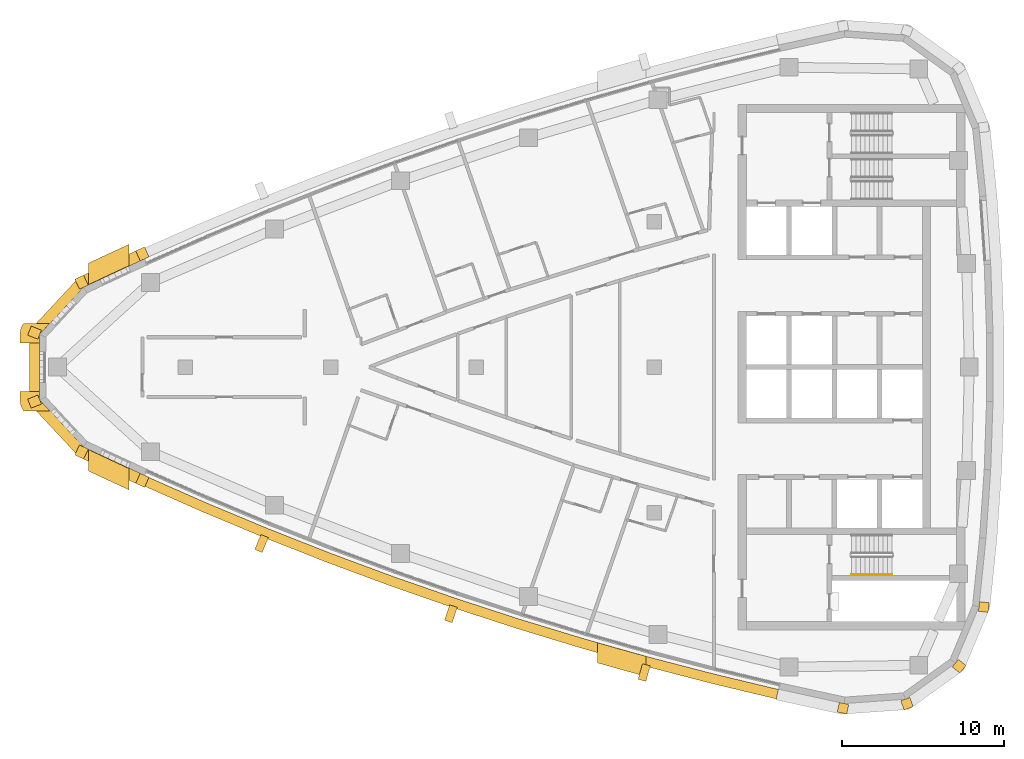
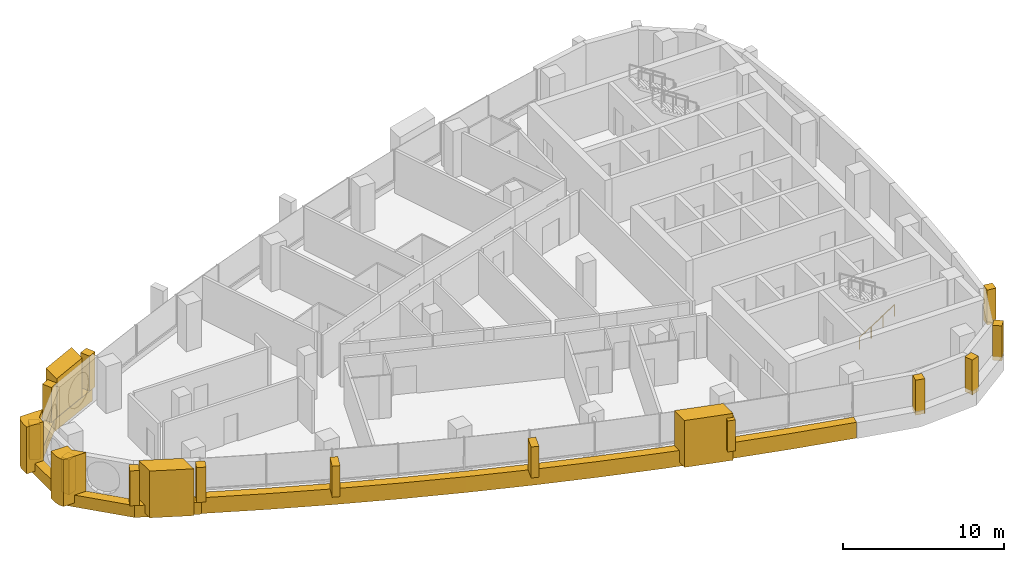
# One storey, part 11 of 14: 20 coverings, 1 railing.
"""IFC4 building model written with IfcOpenShell, lengths in metres."""

from ifc_helpers import new_model, si_unit, direction, frame, frame_2d, origin, origin_2d, place, context, subcontext, project, spatial, polyline, rectangle, circle, outline, extrude, material, layer, layer_set, type_object, element, save


model = new_model("IFC4")

# Units and contexts
model_context = context("Model", 3, precision=1e-05, world=origin(), true_north=direction((0.0, 1.0)))
body_context = subcontext(model_context, "Body", "Model", "MODEL_VIEW")
ifc_project = project(units=[si_unit("LENGTHUNIT", "METRE"), si_unit("AREAUNIT", "SQUARE_METRE"), si_unit("VOLUMEUNIT", "CUBIC_METRE"), si_unit("PLANEANGLEUNIT", "RADIAN"), si_unit("MASSUNIT", "GRAM", prefix="KILO")], contexts=[model_context])

# Site, building, storey
site_placement = place(None, origin())
site = spatial("IfcSite", under=ifc_project, at=site_placement, CompositionType="ELEMENT")
building_placement = place(site_placement, origin())
building = spatial("IfcBuilding", under=site, at=building_placement, Name="Ostrand Prow Hotel Tower", CompositionType="ELEMENT")
storey_placement = place(building_placement, frame((0.0, 0.0, 296.300048828125)))
storey = spatial("IfcBuildingStorey", under=building, at=storey_placement, Name="L75", CompositionType="ELEMENT", Elevation=296.300048828125)

# Coverings
ifc_material_1 = material(Name="Bronze anodised aluminium cladding", Category="aluminium")
ifc_layer_1 = layer(ifc_material_1, 0.60009765625)
ifc_layer_set_1 = layer_set([ifc_layer_1], Name="Bronze anodised aluminium cladding")
covering_type_1 = type_object("IfcCoveringType", Name="Bronze prow band 899x600", PredefinedType="CLADDING", material=ifc_layer_set_1)
covering_1_placement = place(storey_placement, frame((0.0, 0.0, -0.300048828125)))
element("IfcCovering", 1, at=covering_1_placement, inside=storey, type_object=covering_type_1, Name="Bronze prow band", PredefinedType="CLADDING", context=body_context, shape_type="SweptSolid", body=[
    extrude(outline(polyline([(13.195068359375, 7.316162109375), (9.424560546875, 5.559814453125), (6.348388671875, 2.2568359375), (6.348388671875, -2.2568359375), (9.424560546875, -5.559814453125), (13.195068359375, -7.316162109375), (13.47607421875, -6.697021484375), (9.718017578125, -4.9462890625), (6.981201171875, -2.0078125), (6.981201171875, 2.0078125), (9.718017578125, 4.9462890625), (13.47607421875, 6.697021484375), (13.195068359375, 7.316162109375)])), origin(), (0.0, 0.0, 1.0), 0.89990234375),
])
ifc_material_2 = material(Name="Bronze anodised aluminium cladding", Category="aluminium")
ifc_layer_2 = layer(ifc_material_2, 0.60009765625)
ifc_layer_set_2 = layer_set([ifc_layer_2], Name="Bronze anodised aluminium cladding")
covering_type_2 = type_object("IfcCoveringType", Name="Bronze spandrel band 1200x600", PredefinedType="CLADDING", material=ifc_layer_set_2)
covering_2_placement = place(storey_placement, frame((0.0, 0.0, -0.300048828125)))
element("IfcCovering", 2, at=covering_2_placement, inside=storey, type_object=covering_type_2, Name="Spandrel band S1", PredefinedType="CLADDING", context=body_context, shape_type="SweptSolid", body=[
    extrude(outline(polyline([(13.220947265625, -7.25927734375), (17.02490234375, -8.938720703125), (20.86181640625, -10.541748046875), (24.72998046875, -12.067138671875), (28.62841796875, -13.514404296875), (32.5546875, -14.88330078125), (36.508056640625, -16.172607421875), (40.486328125, -17.382568359375), (44.48828125, -18.51220703125), (48.51220703125, -19.56103515625), (52.55615234375, -20.52880859375), (52.68994140625, -19.94384765625), (48.65771484375, -18.97900390625), (44.6455078125, -17.93310546875), (40.6552734375, -16.806884765625), (36.6884765625, -15.6005859375), (32.74658203125, -14.314697265625), (28.83154296875, -12.949951171875), (24.944580078125, -11.5068359375), (21.08740234375, -9.98583984375), (17.26171875, -8.3876953125), (13.468994140625, -6.712890625), (13.220947265625, -7.25927734375)])), origin(), (0.0, 0.0, 1.0), 1.199951171875),
])
ifc_material_3 = material(Name="Limestone cladding", Category="masonry")
ifc_layer_3 = layer(ifc_material_3, 5.0)
ifc_layer_set_3 = layer_set([ifc_layer_3], Name="Limestone cladding")
covering_type_3 = type_object("IfcCoveringType", Name="Portal jamb pilaster limestone", PredefinedType="CLADDING", material=ifc_layer_set_3)
covering_3_placement = place(storey_placement, origin())
element("IfcCovering", 3, at=covering_3_placement, inside=storey, type_object=covering_type_3, Name="Portal jamb SA L75", PredefinedType="CLADDING", context=body_context, shape_type="SweptSolid", body=[
    extrude(outline(polyline([(10.0, -5.10009765625), (10.0, -6.428466796875), (10.833251953125, -6.8203125), (11.666748046875, -7.20751953125), (12.5, -7.590087890625), (12.5, -6.270263671875), (11.666748046875, -5.884765625), (10.833251953125, -5.494873046875), (10.0, -5.10009765625)])), origin(), (0.0, 0.0, 1.0), 3.550048828125),
])
covering_4_placement = place(storey_placement, origin())
element("IfcCovering", 4, at=covering_4_placement, inside=storey, type_object=covering_type_3, Name="Portal jamb SB L75", PredefinedType="CLADDING", context=body_context, shape_type="SweptSolid", body=[
    extrude(outline(polyline([(41.5, -17.052490234375), (41.5, -18.301025390625), (42.5, -18.585205078125), (43.5, -18.86376953125), (44.5, -19.136962890625), (44.5, -17.8935546875), (43.5, -17.61865234375), (42.5, -17.338134765625), (41.5, -17.052490234375)])), origin(), (0.0, 0.0, 1.0), 3.550048828125),
])
covering_5_placement = place(storey_placement, origin())
element("IfcCovering", 5, at=covering_5_placement, inside=storey, type_object=covering_type_3, Name="Portal jamb NA L75", PredefinedType="CLADDING", context=body_context, shape_type="SweptSolid", body=[
    extrude(outline(polyline([(10.0, 5.10009765625), (10.833251953125, 5.494873046875), (11.666748046875, 5.884765625), (12.5, 6.270263671875), (12.5, 7.590087890625), (11.666748046875, 7.20751953125), (10.833251953125, 6.8203125), (10.0, 6.428466796875), (10.0, 5.10009765625)])), origin(), (0.0, 0.0, 1.0), 3.550048828125),
])
ifc_material_4 = material(Name="Limestone cladding", Category="masonry")
ifc_layer_4 = layer(ifc_material_4, 0.5)
ifc_layer_set_4 = layer_set([ifc_layer_4], Name="Limestone cladding")
covering_type_4 = type_object("IfcCoveringType", Name="Precast stone fin 500x900", PredefinedType="CLADDING", material=ifc_layer_set_4)
covering_6_placement = place(storey_placement, frame((20.8994140625, -10.44921875, 0.89990234375), z_axis=(0.0, 0.0, 1.0), x_axis=(-0.376311544034, -0.926493184987, 0.0)))
element("IfcCovering", 6, at=covering_6_placement, inside=storey, type_object=covering_type_4, Name="Stone fin S 3", PredefinedType="CLADDING", context=body_context, shape_type="SweptSolid", body=[
    extrude(rectangle(XDim=0.999755859375, YDim=0.5, at=frame_2d((0.5, 0.0))), origin(), (0.0, 0.0, 1.0), 2.35009765625),
])
for number, where, z_axis, x_axis, name in (
    (7, (32.5869140625, -14.78857421875, 0.89990234375), (0.0, 0.0, 1.0), (-0.319814258793, -0.947480258302, 0.0), "Stone fin S 6"),
    (8, (44.514404296875, -18.41552734375, 0.89990234375), (0.0, 0.0, 1.0), (-0.261960376774, -0.965078629439, 0.0), "Stone fin S 9"),
):
    element("IfcCovering", number, at=place(storey_placement, frame(where, z_axis=z_axis, x_axis=x_axis)), inside=storey, type_object=covering_type_4, Name=name, PredefinedType="CLADDING", context=body_context, shape_type="SweptSolid", body=[
        extrude(rectangle(XDim=1.0, YDim=0.5, at=frame_2d((0.5, 0.0))), origin(), (0.0, 0.0, 1.0), 2.35009765625),
    ])
ifc_material_5 = material(Name="Limestone cladding", Category="masonry")
ifc_layer_5 = layer(ifc_material_5, 0.60009765625)
ifc_layer_set_5 = layer_set([ifc_layer_5], Name="Limestone cladding")
covering_type_5 = type_object("IfcCoveringType", Name="Precast stone prow rib 600x600", PredefinedType="CLADDING", material=ifc_layer_set_5)
covering_7_placement = place(storey_placement, frame((13.47607421875, 6.697021484375, 0.599853515625), z_axis=(0.0, 0.0, 1.0), x_axis=(-0.413288868051, 0.910599973394, 0.0)))
element("IfcCovering", 9, at=covering_7_placement, inside=storey, type_object=covering_type_5, Name="Stone prow rib 1", PredefinedType="CLADDING", context=body_context, shape_type="SweptSolid", body=[
    extrude(rectangle(XDim=0.679931640625, YDim=0.60009765625, at=frame_2d((0.33984375, 0.0))), origin(), (0.0, 0.0, 1.0), 2.650146484375),
])
covering_8_placement = place(storey_placement, frame((9.718017578125, 4.9462890625, 0.599853515625), z_axis=(0.0, 0.0, 1.0), x_axis=(-0.431493603995, 0.902115995707, 0.0)))
element("IfcCovering", 10, at=covering_8_placement, inside=storey, type_object=covering_type_5, Name="Stone prow rib 2", PredefinedType="CLADDING", context=body_context, shape_type="SweptSolid", body=[
    extrude(rectangle(XDim=0.68017578125, YDim=0.60009765625, at=frame_2d((0.340087890625, 0.0))), origin(), (0.0, 0.0, 1.0), 2.650146484375),
])
for number, where, z_axis, x_axis, name in (
    (11, (6.981201171875, 2.0078125, 0.599853515625), (0.0, 0.0, 1.0), (-0.93054188789, 0.366185465142, 0.0), "Stone prow rib 3"),
    (12, (6.981201171875, -2.0078125, 0.599853515625), (0.0, 0.0, 1.0), (-0.93054188789, -0.366185465142, 0.0), "Stone prow rib 4"),
):
    element("IfcCovering", number, at=place(storey_placement, frame(where, z_axis=z_axis, x_axis=x_axis)), inside=storey, type_object=covering_type_5, Name=name, PredefinedType="CLADDING", context=body_context, shape_type="SweptSolid", body=[
        extrude(rectangle(XDim=0.679931640625, YDim=0.60009765625, at=frame_2d((0.33984375, 0.0))), origin(), (0.0, 0.0, 1.0), 2.650146484375),
    ])
covering_9_placement = place(storey_placement, frame((9.718017578125, -4.9462890625, 0.599853515625), z_axis=(0.0, 0.0, 1.0), x_axis=(-0.431493603995, -0.902115995707, 0.0)))
element("IfcCovering", 13, at=covering_9_placement, inside=storey, type_object=covering_type_5, Name="Stone prow rib 5", PredefinedType="CLADDING", context=body_context, shape_type="SweptSolid", body=[
    extrude(rectangle(XDim=0.68017578125, YDim=0.60009765625, at=frame_2d((0.340087890625, 0.0))), origin(), (0.0, 0.0, 1.0), 2.650146484375),
])
covering_10_placement = place(storey_placement, frame((13.47607421875, -6.697021484375, 0.599853515625), z_axis=(0.0, 0.0, 1.0), x_axis=(-0.413288868051, -0.910599973394, 0.0)))
element("IfcCovering", 14, at=covering_10_placement, inside=storey, type_object=covering_type_5, Name="Stone prow rib 6", PredefinedType="CLADDING", context=body_context, shape_type="SweptSolid", body=[
    extrude(rectangle(XDim=0.679931640625, YDim=0.60009765625, at=frame_2d((0.33984375, 0.0))), origin(), (0.0, 0.0, 1.0), 2.650146484375),
])
covering_11_placement = place(storey_placement, frame((56.744384765625, -20.810546875, 0.599853515625), z_axis=(0.0, 0.0, 1.0), x_axis=(-0.203385687349, -0.979098698897, 0.0)))
element("IfcCovering", 15, at=covering_11_placement, inside=storey, type_object=covering_type_5, Name="Stone corner rib 2a", PredefinedType="CLADDING", context=body_context, shape_type="SweptSolid", body=[
    extrude(rectangle(XDim=0.60009765625, YDim=0.60009765625, at=frame_2d((0.300048828125, 0.0))), origin(), (0.0, 0.0, 1.0), 2.650146484375),
])
for number, where, z_axis, x_axis, name in (
    (16, (60.540283203125, -20.539794921875, 0.599853515625), (0.0, 0.0, 1.0), (0.340664419472, -0.940184956966, 0.0), "Stone corner rib 3a"),
    (17, (63.630615234375, -18.318359375, 0.599853515625), (0.0, 0.0, 1.0), (0.782731736812, -0.622359243674, 0.0), "Stone corner rib 4a"),
):
    element("IfcCovering", number, at=place(storey_placement, frame(where, z_axis=z_axis, x_axis=x_axis)), inside=storey, type_object=covering_type_5, Name=name, PredefinedType="CLADDING", context=body_context, shape_type="SweptSolid", body=[
        extrude(rectangle(XDim=0.599853515625, YDim=0.60009765625, at=frame_2d((0.2998046875, 0.0))), origin(), (0.0, 0.0, 1.0), 2.650146484375),
    ])
covering_12_placement = place(storey_placement, frame((65.0966796875, -14.806396484375, 0.599853515625), z_axis=(0.0, 0.0, 1.0), x_axis=(0.992867207971, -0.119225447515, 0.0)))
element("IfcCovering", 18, at=covering_12_placement, inside=storey, type_object=covering_type_5, Name="Stone corner rib 4b", PredefinedType="CLADDING", context=body_context, shape_type="SweptSolid", body=[
    extrude(rectangle(XDim=0.60009765625, YDim=0.60009765625, at=frame_2d((0.300048828125, 0.0))), origin(), (0.0, 0.0, 1.0), 2.650146484375),
])
ifc_material_6 = material(Name="Limestone cladding", Category="masonry")
ifc_layer_6 = layer(ifc_material_6, 3.0)
ifc_layer_set_6 = layer_set([ifc_layer_6], Name="Limestone cladding")
covering_type_6 = type_object("IfcCoveringType", Name="Prow nose pier limestone", PredefinedType="CLADDING", material=ifc_layer_set_6)
covering_13_placement = place(storey_placement, origin())
element("IfcCovering", 19, at=covering_13_placement, inside=storey, type_object=covering_type_6, Name="Prow spine fin N L75", PredefinedType="CLADDING", context=body_context, shape_type="SweptSolid", body=[
    extrude(outline(polyline([(5.764892578125, 2.01416015625), (5.764892578125, 1.5), (6.96484375, 1.5), (6.96484375, 2.01416015625), (7.603515625, 2.699951171875), (5.981689453125, 2.699951171875), (5.94970703125, 2.654052734375), (5.894287109375, 2.55615234375), (5.84814453125, 2.45361328125), (5.81201171875, 2.34716796875), (5.785888671875, 2.23779296875), (5.77001953125, 2.12646484375), (5.764892578125, 2.01416015625)])), origin(), (0.0, 0.0, 1.0), 3.550048828125),
])
covering_14_placement = place(storey_placement, origin())
element("IfcCovering", 20, at=covering_14_placement, inside=storey, type_object=covering_type_6, Name="Prow spine fin S L75", PredefinedType="CLADDING", context=body_context, shape_type="SweptSolid", body=[
    extrude(outline(polyline([(5.94970703125, -2.654052734375), (5.981689453125, -2.699951171875), (7.603515625, -2.699951171875), (6.96484375, -2.01416015625), (6.96484375, -1.5), (5.764892578125, -1.5), (5.764892578125, -2.01416015625), (5.77001953125, -2.12646484375), (5.785888671875, -2.23779296875), (5.81201171875, -2.34716796875), (5.84814453125, -2.45361328125), (5.894287109375, -2.55615234375), (5.94970703125, -2.654052734375)])), origin(), (0.0, 0.0, 1.0), 3.550048828125),
])

# Railing
ifc_material_7 = material(Name="Stainless steel", Category="steel")
railing_type = type_object("IfcRailingType", Name="Stair handrail 900", PredefinedType="HANDRAIL", material=ifc_material_7)
railing_placement = place(storey_placement, frame((57.199951171875, -12.85009765625, 0.177490234375)))
element("IfcRailing", 21, at=railing_placement, inside=storey, type_object=railing_type, Name="L75 ST2C stair handrail 1", PredefinedType="HANDRAIL", context=body_context, shape_type="SweptSolid", body=[
    extrude(circle(Radius=0.02392578125, at=origin_2d()), frame((0.0, 0.0, 0.8759765625), z_axis=(0.84460694969, 0.0, 0.535386869969), x_axis=(0.0, 1.0, 0.0)), (0.0, 0.0, 1.0), 2.983642578125),
    extrude(circle(Radius=0.02099609375, at=origin_2d()), origin(), (0.0, 0.0, 1.0), 0.851806640625),
    extrude(circle(Radius=0.02099609375, at=origin_2d()), frame((0.840087890625, 0.0, 0.532470703125)), (0.0, 0.0, 1.0), 0.851806640625),
    extrude(circle(Radius=0.02099609375, at=origin_2d()), frame((1.679931640625, 0.0, 1.06494140625)), (0.0, 0.0, 1.0), 0.851806640625),
    extrude(circle(Radius=0.02099609375, at=origin_2d()), frame((2.52001953125, 0.0, 1.597412109375)), (0.0, 0.0, 1.0), 0.851806640625),
])

save(model, "model.ifc")
